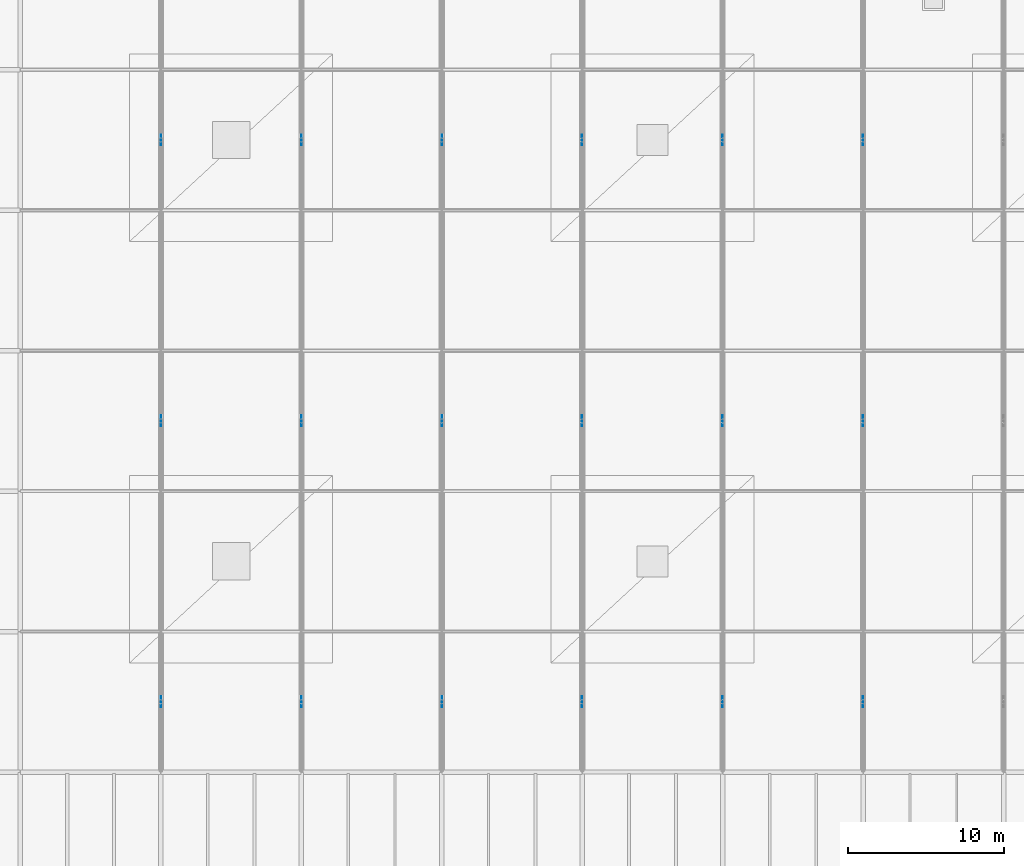
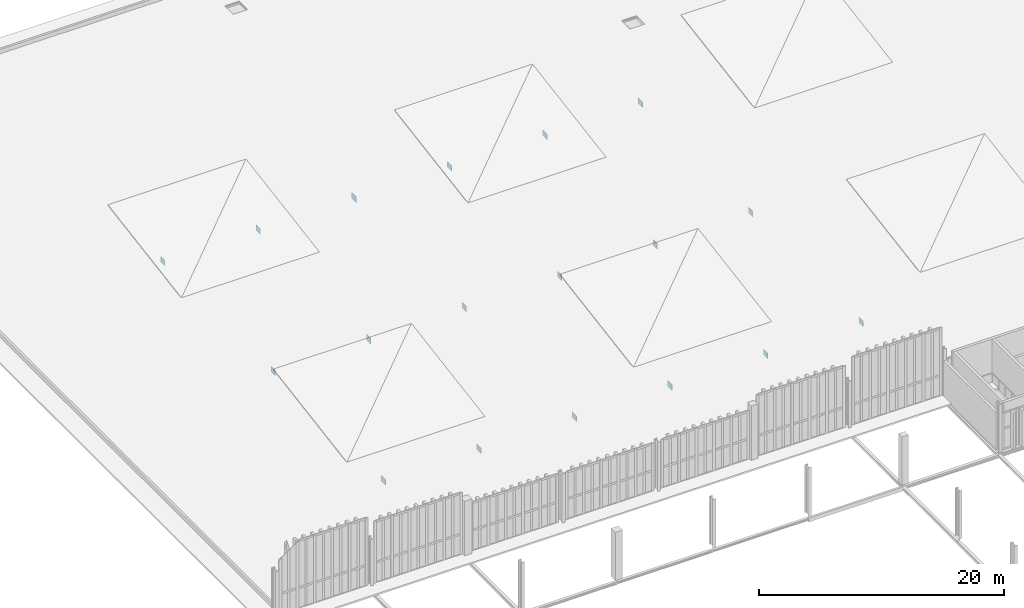
# One storey, part 173 of 196: 18 plates.
"""IFC4 building model written with IfcOpenShell, lengths in metres."""

import ifcopenshell
import ifcopenshell.guid

model = None  # the IFC model being written
_history = None  # IfcOwnerHistory: only IFC2X3 demands one
_inside = {}  # id of a spatial element -> (the spatial element, [elements in it])
_under = {}  # id of a project, library or spatial element -> (it, [spatial elements below it])
_declared = {}  # id of a project -> (the project, [libraries it declares])
_typed = {}  # id of a type object -> (the type object, [elements of that type])
_made_of = {}  # id of a material, layer set ... -> (it, [elements and type objects made of it])


def new_model(schema):
    """Start an empty IFC model of exactly this schema.

    Asked for "IFC4X3", IfcOpenShell would pick the latest addendum, in which some entities
    have other attributes; the version numbers below select the first issue.
    IFC2X3 requires an IfcOwnerHistory on every rooted entity: one is made here for all.
    """
    global model, _history
    if schema == "IFC4X3":
        model = ifcopenshell.file(schema_version=(4, 3, 0, 0))
    else:
        model = ifcopenshell.file(schema=schema)
    _inside.clear()
    _under.clear()
    _declared.clear()
    _typed.clear()
    _made_of.clear()
    _history = None
    if model.schema == "IFC2X3":
        org = make("IfcOrganization", Name="unknown")
        user = make(
            "IfcPersonAndOrganization",
            ThePerson=make("IfcPerson", FamilyName="unknown"),
            TheOrganization=org,
        )
        app = make(
            "IfcApplication",
            ApplicationDeveloper=org,
            Version="unknown",
            ApplicationFullName="unknown",
            ApplicationIdentifier="unknown",
        )
        _history = make(
            "IfcOwnerHistory",
            OwningUser=user,
            OwningApplication=app,
            ChangeAction="ADDED",
            CreationDate=0,
        )
    return model


def make(cls, **values):
    """One entity of the class cls with the attributes given. An attribute that is None is left unset."""
    return model.create_entity(
        cls, **{name: value for name, value in values.items() if value is not None}
    )


def rooted(cls, **values):
    """An entity with a GlobalId (a new one), such as an element, a storey or a relation."""
    return make(cls, GlobalId=ifcopenshell.guid.new(), OwnerHistory=_history, **values)


def si_unit(unit_type, name, prefix=None):
    """IfcSIUnit, for example si_unit("LENGTHUNIT", "METRE", prefix="MILLI")."""
    return make("IfcSIUnit", UnitType=unit_type, Prefix=prefix, Name=name)


def assignment(units):
    """IfcUnitAssignment: the units of a project."""
    return None if units is None else make("IfcUnitAssignment", Units=units)


def point(xyz):
    """IfcCartesianPoint."""
    return None if xyz is None else make("IfcCartesianPoint", Coordinates=xyz)


def direction(xyz):
    """IfcDirection."""
    return None if xyz is None else make("IfcDirection", DirectionRatios=xyz)


def frame(location, z_axis=None, x_axis=None):
    """IfcAxis2Placement3D, a coordinate frame: its origin and axes. An axis left out is left unset."""
    return make(
        "IfcAxis2Placement3D",
        Location=point(location),
        Axis=direction(z_axis),
        RefDirection=direction(x_axis),
    )


def frame_2d(location, x_axis=None):
    """IfcAxis2Placement2D, a coordinate frame in the plane: its origin and x axis."""
    return make(
        "IfcAxis2Placement2D", Location=point(location), RefDirection=direction(x_axis)
    )


def origin():
    """The frame at (0, 0, 0) with its axes left unset."""
    return frame((0.0, 0.0, 0.0))


def origin_2d():
    """The frame at (0, 0) in the plane with its x axis left unset."""
    return frame_2d((0.0, 0.0))


def place(relative_to, where):
    """IfcLocalPlacement: puts the frame where relative to a parent placement (None: the world)."""
    return make(
        "IfcLocalPlacement", PlacementRelTo=relative_to, RelativePlacement=where
    )


def context(
    kind, dimensions, precision=None, world=None, true_north=None, identifier=None
):
    """IfcGeometricRepresentationContext, for example the 3D "Model" context."""
    return make(
        "IfcGeometricRepresentationContext",
        ContextIdentifier=identifier,
        ContextType=kind,
        CoordinateSpaceDimension=dimensions,
        Precision=precision,
        WorldCoordinateSystem=world,
        TrueNorth=true_north,
    )


def subcontext(parent, identifier, kind, view, scale=None):
    """IfcGeometricRepresentationSubContext, for example "Body" below "Model"."""
    return make(
        "IfcGeometricRepresentationSubContext",
        ContextIdentifier=identifier,
        ContextType=kind,
        ParentContext=parent,
        TargetScale=scale,
        TargetView=view,
    )


def project(units=None, contexts=None):
    """IfcProject with its units and contexts."""
    return rooted(
        "IfcProject",
        Name="project",
        RepresentationContexts=contexts,
        UnitsInContext=assignment(units),
    )


def spatial(cls, under=None, at=None, **own):
    """A site, building, storey or space (cls), placed at a placement, below another one or the project."""
    s = rooted(cls, ObjectPlacement=at, **own)
    if under is not None:
        _under.setdefault(under.id(), (under, []))[1].append(s)
    return s


def profile(cls, at=None, kind="AREA", **sizes):
    """A parametric profile (cls). Its sizes go by their IFC names, for example OverallWidth=200.0."""
    return make(cls, ProfileType=kind, Position=at, **sizes)


def rectangle(**sizes):
    """IfcRectangleProfileDef."""
    return profile("IfcRectangleProfileDef", **sizes)


def extrude(swept, where, along, depth):
    """IfcExtrudedAreaSolid: the profile swept, set in the frame where, extruded along a direction by depth."""
    return make(
        "IfcExtrudedAreaSolid",
        SweptArea=swept,
        Position=where,
        ExtrudedDirection=direction(along),
        Depth=depth,
    )


def shape(context_of_items, identifier, shape_type, items):
    """IfcShapeRepresentation: the items that make up one representation, for example the "Body"."""
    return make(
        "IfcShapeRepresentation",
        ContextOfItems=context_of_items,
        RepresentationIdentifier=identifier,
        RepresentationType=shape_type,
        Items=items,
    )


def material(Name=None, Category=None):
    """IfcMaterial."""
    return make("IfcMaterial", Name=Name, Category=Category)


def layer(
    of_material, thickness, ventilated=None, Name=None, Category=None, Priority=None
):
    """IfcMaterialLayer: one layer of a wall or slab, of a material (None: an air gap)."""
    return make(
        "IfcMaterialLayer",
        Material=of_material,
        LayerThickness=thickness,
        IsVentilated=ventilated,
        Name=Name,
        Category=Category,
        Priority=Priority,
    )


def layer_set(layers, Name=None):
    """IfcMaterialLayerSet."""
    return make("IfcMaterialLayerSet", MaterialLayers=layers, LayerSetName=Name)


def made_of(thing, what):
    """Note that an element or type object is made of a material, layer set ...; save() writes the relation."""
    if what is not None:
        _made_of.setdefault(what.id(), (what, []))[1].append(thing)
    return thing


def type_object(cls, material=None, **own):
    """A type object (cls), such as IfcWallType, which elements share."""
    return made_of(rooted(cls, **own), material)


def element(
    cls,
    number,
    at=None,
    inside=None,
    cuts=None,
    type_object=None,
    material=None,
    context=None,
    identifier="Body",
    shape_type=None,
    held_by="IfcProductDefinitionShape",
    body=None,
    shapes=None,
    **own,
):
    """One element of the class cls, such as IfcWall. Its Tag is "e" and its number.

    at: its placement. inside: the storey or other place that contains it. cuts: it is an
    opening in that element (IfcRelVoidsElement). A single representation is given by context,
    identifier, shape_type and body (its items); several are given by shapes. held_by: the class
    of the entity that holds the representations. save() writes the other relations.
    """
    e = rooted(cls, Tag="e%d" % number, ObjectPlacement=at, **own)
    if body is not None:
        shapes = [shape(context, identifier, shape_type, body)]
    if shapes is not None:
        e.Representation = make(held_by, Representations=shapes)
    if inside is not None:
        _inside.setdefault(inside.id(), (inside, []))[1].append(e)
    if cuts is not None:
        rooted(
            "IfcRelVoidsElement", RelatingBuildingElement=cuts, RelatedOpeningElement=e
        )
    if type_object is not None:
        _typed.setdefault(type_object.id(), (type_object, []))[1].append(e)
    return made_of(e, material)


def aggregate(whole, parts):
    """IfcRelAggregates: a whole, such as a stair, and the parts it consists of."""
    return rooted("IfcRelAggregates", RelatingObject=whole, RelatedObjects=parts)


def save(model, path):
    """Write the relations noted so far, then the file.

    IfcRelAggregates (storeys below a building ...), IfcRelContainedInSpatialStructure (elements
    in a storey), IfcRelDefinesByType, IfcRelAssociatesMaterial and IfcRelDeclares: one each for
    every whole, place, type object, material and project.
    """
    for whole, parts in _under.values():
        aggregate(whole, parts)
    for where, things in _inside.values():
        rooted(
            "IfcRelContainedInSpatialStructure",
            RelatedElements=things,
            RelatingStructure=where,
        )
    for kind, things in _typed.values():
        rooted("IfcRelDefinesByType", RelatedObjects=things, RelatingType=kind)
    for what, things in _made_of.values():
        rooted("IfcRelAssociatesMaterial", RelatedObjects=things, RelatingMaterial=what)
    for by, libraries in _declared.values():
        rooted("IfcRelDeclares", RelatingContext=by, RelatedDefinitions=libraries)
    model.write(path)


model = new_model("IFC4")

# Units and contexts
model_context = context("Model", 3, precision=1e-05, world=origin(), true_north=direction((0.0, 1.0)))
body_context = subcontext(model_context, "Body", "Model", "MODEL_VIEW")
ifc_project = project(units=[si_unit("LENGTHUNIT", "METRE"), si_unit("AREAUNIT", "SQUARE_METRE"), si_unit("VOLUMEUNIT", "CUBIC_METRE"), si_unit("PLANEANGLEUNIT", "RADIAN"), si_unit("MASSUNIT", "GRAM", prefix="KILO")], contexts=[model_context])

# Site, building, storey
site_placement = place(None, origin())
site = spatial("IfcSite", under=ifc_project, at=site_placement, CompositionType="ELEMENT")
building_placement = place(site_placement, origin())
building = spatial("IfcBuilding", under=site, at=building_placement, Name="Barlavento Convention Centre", CompositionType="ELEMENT")
storey_placement = place(building_placement, frame((0.0, 0.0, 18.0)))
storey = spatial("IfcBuildingStorey", under=building, at=storey_placement, Name="L03", CompositionType="ELEMENT", Elevation=18.0)

# Plates
ifc_material = material(Name="Steel S460", Category="steel")
ifc_layer = layer(ifc_material, 0.033935546875)
ifc_layer_set = layer_set([ifc_layer], Name="STR-PLT-NODE-EX1")
plate_type = type_object("IfcPlateType", Name="STR-PLT-NODE-EX1", PredefinedType="USERDEFINED", material=ifc_layer_set)
for number, where, z_axis, x_axis, name in (
    (1, (18.0, 67.5, -1.129150390625), (0.0, 0.0, 1.0), (1.0, 0.0, 0.0), "Space frame node plate EXN1"),
    (2, (18.0, 85.5, -1.129150390625), (0.0, 0.0, 1.0), (1.0, 0.0, 0.0), "Space frame node plate EXN1"),
    (3, (18.0, 103.5, -1.129150390625), (0.0, 0.0, 1.0), (1.0, 0.0, 0.0), "Space frame node plate EXN1"),
    (4, (27.0, 67.5, -1.125), (0.0, 0.0, 1.0), (1.0, 0.0, 0.0), "Space frame node plate EXN1"),
    (5, (27.0, 85.5, -1.125), (0.0, 0.0, 1.0), (1.0, 0.0, 0.0), "Space frame node plate EXN1"),
    (6, (27.0, 103.5, -1.125), (0.0, 0.0, 1.0), (1.0, 0.0, 0.0), "Space frame node plate EXN1"),
    (7, (36.0, 67.5, -1.074951171875), (0.0, 0.0, 1.0), (1.0, 0.0, 0.0), "Space frame node plate EXN1"),
    (8, (36.0, 85.5, -1.074951171875), (0.0, 0.0, 1.0), (1.0, 0.0, 0.0), "Space frame node plate EXN1"),
    (9, (36.0, 103.5, -1.074951171875), (0.0, 0.0, 1.0), (1.0, 0.0, 0.0), "Space frame node plate EXN1"),
    (10, (45.0, 67.5, -1.129150390625), (0.0, 0.0, 1.0), (1.0, 0.0, 0.0), "Space frame node plate EXN1"),
    (11, (45.0, 85.5, -1.129150390625), (0.0, 0.0, 1.0), (1.0, 0.0, 0.0), "Space frame node plate EXN1"),
    (12, (45.0, 103.5, -1.129150390625), (0.0, 0.0, 1.0), (1.0, 0.0, 0.0), "Space frame node plate EXN1"),
    (13, (54.0, 67.5, -1.125), (0.0, 0.0, 1.0), (1.0, 0.0, 0.0), "Space frame node plate EXN1"),
    (14, (54.0, 85.5, -1.125), (0.0, 0.0, 1.0), (1.0, 0.0, 0.0), "Space frame node plate EXN1"),
    (15, (54.0, 103.5, -1.125), (0.0, 0.0, 1.0), (1.0, 0.0, 0.0), "Space frame node plate EXN1"),
    (16, (63.0, 67.5, -1.074951171875), (0.0, 0.0, 1.0), (1.0, 0.0, 0.0), "Space frame node plate EXN1"),
    (17, (63.0, 85.5, -1.074951171875), (0.0, 0.0, 1.0), (1.0, 0.0, 0.0), "Space frame node plate EXN1"),
    (18, (63.0, 103.5, -1.074951171875), (0.0, 0.0, 1.0), (1.0, 0.0, 0.0), "Space frame node plate EXN1"),
):
    element("IfcPlate", number, at=place(storey_placement, frame(where, z_axis=z_axis, x_axis=x_axis)), inside=storey, type_object=plate_type, Name=name, ObjectType="GUSSET_PLATE", PredefinedType="USERDEFINED", context=body_context, shape_type="SweptSolid", body=[
        extrude(rectangle(XDim=0.033935546875, YDim=0.699951171875, at=origin_2d()), origin(), (0.0, 0.0, 1.0), 0.56005859375),
    ])

save(model, "model.ifc")
